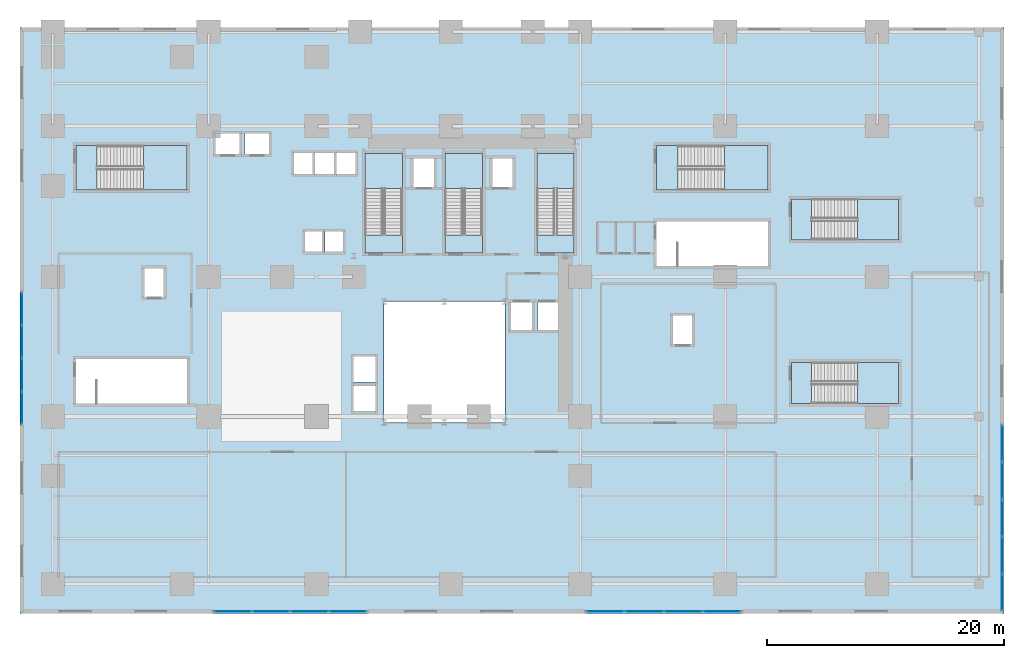
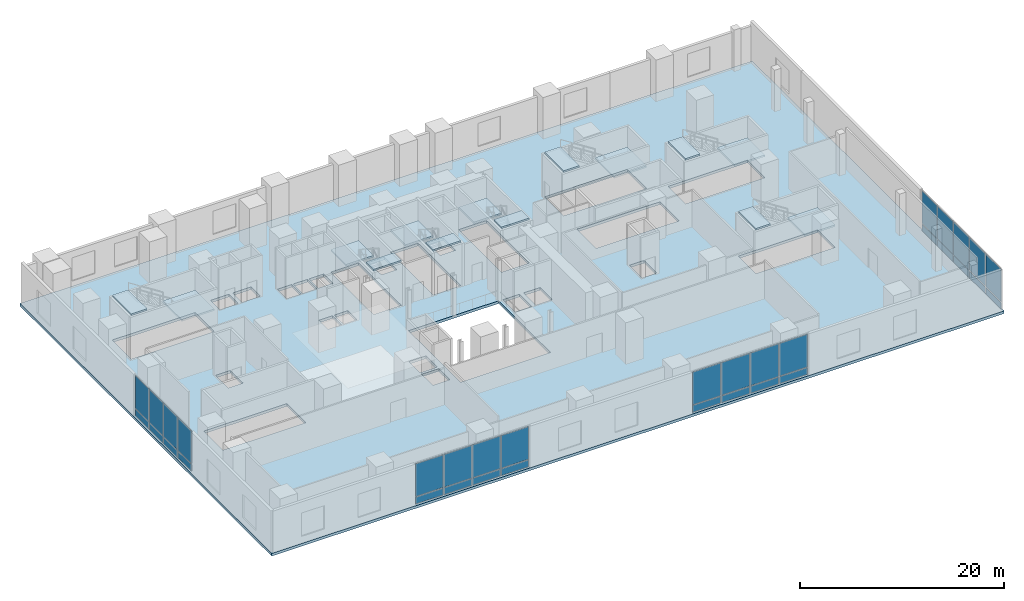
# One storey, part 7 of 15: 34 plates, 15 slabs, 11 elements without a shape of their own.
"""IFC4 building model written with IfcOpenShell, lengths in metres."""

from ifc_helpers import new_model, si_unit, direction, frame, origin, origin_2d, place, context, subcontext, project, spatial, polyline, rectangle, outline, extrude, source, transform, mapped, material, layer, layer_set, type_object, element, aggregate, save


model = new_model("IFC4")

# Units and contexts
model_context = context("Model", 3, precision=1e-05, world=origin(), true_north=direction((0.0, 1.0)))
body_context = subcontext(model_context, "Body", "Model", "MODEL_VIEW")
ifc_project = project(units=[si_unit("LENGTHUNIT", "METRE"), si_unit("AREAUNIT", "SQUARE_METRE"), si_unit("VOLUMEUNIT", "CUBIC_METRE"), si_unit("PLANEANGLEUNIT", "RADIAN"), si_unit("MASSUNIT", "GRAM", prefix="KILO")], contexts=[model_context])

# Site, building, storey
site_placement = place(None, origin())
site = spatial("IfcSite", under=ifc_project, at=site_placement, CompositionType="ELEMENT")
building_placement = place(site_placement, origin())
building = spatial("IfcBuilding", under=site, at=building_placement, Name="Vardaveli Station Tower", CompositionType="ELEMENT")
storey_placement = place(building_placement, frame((0.0, 0.0, 6.0)))
storey = spatial("IfcBuildingStorey", under=building, at=storey_placement, Name="L02", CompositionType="ELEMENT", Elevation=6.0)

# Stair, slabs
ifc_material_1 = material(Name="Concrete C40/50", Category="concrete")
stair_type_1 = type_object("IfcStairType", Name="STR-CORE-1500", PredefinedType="HALF_TURN_STAIR", material=ifc_material_1)
stair_1_placement = place(storey_placement, origin())
stair_1 = element("IfcStair", 1, at=stair_1_placement, inside=storey, type_object=stair_type_1, Name="L02 ST-1", PredefinedType="HALF_TURN_STAIR")
ifc_layer_1 = layer(ifc_material_1, 0.199951171875, Name="Concrete C40/50")
ifc_layer_set_1 = layer_set([ifc_layer_1], Name="Concrete C40/50")
slab_type_1 = type_object("IfcSlabType", Name="SLB-LAND-200", PredefinedType="LANDING", material=ifc_layer_set_1)
slab_1_placement = place(storey_placement, frame((0.0, 0.0, 2.5)))
slab_1 = element("IfcSlab", 2, at=slab_1_placement, type_object=slab_type_1, Name="ST-1 landing 1", PredefinedType="LANDING", context=body_context, shape_type="SweptSolid", body=[
    extrude(outline(polyline([(32.75, 36.320068359375), (32.75, 39.300048828125), (29.60009765625, 39.300048828125), (29.60009765625, 36.320068359375), (32.75, 36.320068359375)])), origin(), (0.0, 0.0, 1.0), 0.199951171875),
])
slab_2_placement = place(storey_placement, frame((0.0, 0.0, 5.199951171875)))
slab_2 = element("IfcSlab", 3, at=slab_2_placement, type_object=slab_type_1, Name="ST-1 landing 2", PredefinedType="LANDING", context=body_context, shape_type="SweptSolid", body=[
    extrude(outline(polyline([(32.75, 30.89990234375), (32.75, 32.39990234375), (29.60009765625, 32.39990234375), (29.60009765625, 30.89990234375), (32.75, 30.89990234375)])), origin(), (0.0, 0.0, 1.0), 0.199951171875),
])
aggregate(stair_1, [slab_1, slab_2])

stair_2_placement = place(storey_placement, origin())
stair_2 = element("IfcStair", 4, at=stair_2_placement, inside=storey, type_object=stair_type_1, Name="L02 ST-2", PredefinedType="HALF_TURN_STAIR")
slab_3_placement = place(storey_placement, frame((0.0, 0.0, 2.5)))
slab_3 = element("IfcSlab", 5, at=slab_3_placement, type_object=slab_type_1, Name="ST-2 landing 1", PredefinedType="LANDING", context=body_context, shape_type="SweptSolid", body=[
    extrude(outline(polyline([(39.5, 36.320068359375), (39.5, 39.300048828125), (36.35009765625, 39.300048828125), (36.35009765625, 36.320068359375), (39.5, 36.320068359375)])), origin(), (0.0, 0.0, 1.0), 0.199951171875),
])
slab_4_placement = place(storey_placement, frame((0.0, 0.0, 5.199951171875)))
slab_4 = element("IfcSlab", 6, at=slab_4_placement, type_object=slab_type_1, Name="ST-2 landing 2", PredefinedType="LANDING", context=body_context, shape_type="SweptSolid", body=[
    extrude(outline(polyline([(39.5, 30.89990234375), (39.5, 32.39990234375), (36.35009765625, 32.39990234375), (36.35009765625, 30.89990234375), (39.5, 30.89990234375)])), origin(), (0.0, 0.0, 1.0), 0.199951171875),
])
aggregate(stair_2, [slab_3, slab_4])

stair_3_placement = place(storey_placement, origin())
stair_3 = element("IfcStair", 7, at=stair_3_placement, inside=storey, type_object=stair_type_1, Name="L02 ST-3", PredefinedType="HALF_TURN_STAIR")
slab_5_placement = place(storey_placement, frame((0.0, 0.0, 2.5)))
slab_5 = element("IfcSlab", 8, at=slab_5_placement, type_object=slab_type_1, Name="ST-3 landing 1", PredefinedType="LANDING", context=body_context, shape_type="SweptSolid", body=[
    extrude(outline(polyline([(47.25, 36.320068359375), (47.25, 39.300048828125), (44.10009765625, 39.300048828125), (44.10009765625, 36.320068359375), (47.25, 36.320068359375)])), origin(), (0.0, 0.0, 1.0), 0.199951171875),
])
slab_6_placement = place(storey_placement, frame((0.0, 0.0, 5.199951171875)))
slab_6 = element("IfcSlab", 9, at=slab_6_placement, type_object=slab_type_1, Name="ST-3 landing 2", PredefinedType="LANDING", context=body_context, shape_type="SweptSolid", body=[
    extrude(outline(polyline([(47.25, 30.89990234375), (47.25, 32.39990234375), (44.10009765625, 32.39990234375), (44.10009765625, 30.89990234375), (47.25, 30.89990234375)])), origin(), (0.0, 0.0, 1.0), 0.199951171875),
])
aggregate(stair_3, [slab_5, slab_6])

stair_type_2 = type_object("IfcStairType", Name="STR-POD-1800", PredefinedType="HALF_TURN_STAIR", material=ifc_material_1)
stair_4_placement = place(storey_placement, origin())
stair_4 = element("IfcStair", 10, at=stair_4_placement, inside=storey, type_object=stair_type_2, Name="L02 ST-P1", PredefinedType="HALF_TURN_STAIR")
slab_7_placement = place(storey_placement, frame((0.0, 0.0, 2.5)))
slab_7 = element("IfcSlab", 11, at=slab_7_placement, type_object=slab_type_1, Name="ST-P1 landing 1", PredefinedType="LANDING", context=body_context, shape_type="SweptSolid", body=[
    extrude(outline(polyline([(10.919921875, 36.199951171875), (14.60009765625, 36.199951171875), (14.60009765625, 39.949951171875), (10.919921875, 39.949951171875), (10.919921875, 36.199951171875)])), origin(), (0.0, 0.0, 1.0), 0.199951171875),
])
slab_8_placement = place(storey_placement, frame((0.0, 0.0, 5.199951171875)))
slab_8 = element("IfcSlab", 12, at=slab_8_placement, type_object=slab_type_1, Name="ST-P1 landing 2", PredefinedType="LANDING", context=body_context, shape_type="SweptSolid", body=[
    extrude(outline(polyline([(5.199951171875, 36.199951171875), (7.0, 36.199951171875), (7.0, 39.949951171875), (5.199951171875, 39.949951171875), (5.199951171875, 36.199951171875)])), origin(), (0.0, 0.0, 1.0), 0.199951171875),
])
aggregate(stair_4, [slab_7, slab_8])

stair_5_placement = place(storey_placement, origin())
stair_5 = element("IfcStair", 13, at=stair_5_placement, inside=storey, type_object=stair_type_2, Name="L02 ST-P2", PredefinedType="HALF_TURN_STAIR")
slab_9_placement = place(storey_placement, frame((0.0, 0.0, 2.5)))
slab_9 = element("IfcSlab", 14, at=slab_9_placement, type_object=slab_type_1, Name="ST-P2 landing 1", PredefinedType="LANDING", context=body_context, shape_type="SweptSolid", body=[
    extrude(outline(polyline([(59.919921875, 36.199951171875), (63.60009765625, 36.199951171875), (63.60009765625, 39.949951171875), (59.919921875, 39.949951171875), (59.919921875, 36.199951171875)])), origin(), (0.0, 0.0, 1.0), 0.199951171875),
])
slab_10_placement = place(storey_placement, frame((0.0, 0.0, 5.199951171875)))
slab_10 = element("IfcSlab", 15, at=slab_10_placement, type_object=slab_type_1, Name="ST-P2 landing 2", PredefinedType="LANDING", context=body_context, shape_type="SweptSolid", body=[
    extrude(outline(polyline([(54.199951171875, 36.199951171875), (56.0, 36.199951171875), (56.0, 39.949951171875), (54.199951171875, 39.949951171875), (54.199951171875, 36.199951171875)])), origin(), (0.0, 0.0, 1.0), 0.199951171875),
])
aggregate(stair_5, [slab_9, slab_10])

ifc_material_2 = material(Name="Structural steel S355J2", Category="steel")
stair_type_3 = type_object("IfcStairType", Name="STR-FEAT-1650", PredefinedType="STRAIGHT_RUN_STAIR", material=ifc_material_2)
stair_6_placement = place(storey_placement, origin())
stair_6 = element("IfcStair", 16, at=stair_6_placement, inside=storey, type_object=stair_type_3, Name="L02 ST-C1", PredefinedType="HALF_TURN_STAIR")
slab_11_placement = place(storey_placement, frame((0.0, 0.0, 2.5)))
slab_11 = element("IfcSlab", 17, at=slab_11_placement, type_object=slab_type_1, Name="ST-C1 landing 1", PredefinedType="LANDING", context=body_context, shape_type="SweptSolid", body=[
    extrude(outline(polyline([(71.169921875, 18.199951171875), (74.60009765625, 18.199951171875), (74.60009765625, 21.64990234375), (71.169921875, 21.64990234375), (71.169921875, 18.199951171875)])), origin(), (0.0, 0.0, 1.0), 0.199951171875),
])
slab_12_placement = place(storey_placement, frame((0.0, 0.0, 5.199951171875)))
slab_12 = element("IfcSlab", 18, at=slab_12_placement, type_object=slab_type_1, Name="ST-C1 landing 2", PredefinedType="LANDING", context=body_context, shape_type="SweptSolid", body=[
    extrude(outline(polyline([(65.60009765625, 18.199951171875), (67.25, 18.199951171875), (67.25, 21.64990234375), (65.60009765625, 21.64990234375), (65.60009765625, 18.199951171875)])), origin(), (0.0, 0.0, 1.0), 0.199951171875),
])
aggregate(stair_6, [slab_11, slab_12])

stair_7_placement = place(storey_placement, origin())
stair_7 = element("IfcStair", 19, at=stair_7_placement, inside=storey, type_object=stair_type_3, Name="L02 ST-C2", PredefinedType="HALF_TURN_STAIR")
slab_13_placement = place(storey_placement, frame((0.0, 0.0, 2.5)))
slab_13 = element("IfcSlab", 20, at=slab_13_placement, type_object=slab_type_1, Name="ST-C2 landing 1", PredefinedType="LANDING", context=body_context, shape_type="SweptSolid", body=[
    extrude(outline(polyline([(71.169921875, 32.0), (74.60009765625, 32.0), (74.60009765625, 35.449951171875), (71.169921875, 35.449951171875), (71.169921875, 32.0)])), origin(), (0.0, 0.0, 1.0), 0.199951171875),
])
slab_14_placement = place(storey_placement, frame((0.0, 0.0, 5.199951171875)))
slab_14 = element("IfcSlab", 21, at=slab_14_placement, type_object=slab_type_1, Name="ST-C2 landing 2", PredefinedType="LANDING", context=body_context, shape_type="SweptSolid", body=[
    extrude(outline(polyline([(65.60009765625, 32.0), (67.25, 32.0), (67.25, 35.449951171875), (65.60009765625, 35.449951171875), (65.60009765625, 32.0)])), origin(), (0.0, 0.0, 1.0), 0.199951171875),
])
aggregate(stair_7, [slab_13, slab_14])

# Slab
ifc_layer_2 = layer(ifc_material_1, 0.320068359375, Name="Concrete C40/50")
ifc_layer_set_2 = layer_set([ifc_layer_2], Name="Concrete C40/50")
slab_type_2 = type_object("IfcSlabType", Name="SLB-POD-320", PredefinedType="FLOOR", material=ifc_layer_set_2)
slab_15_placement = place(storey_placement, frame((0.0, 0.0, -0.320068359375)))
element("IfcSlab", 22, at=slab_15_placement, inside=storey, type_object=slab_type_2, Name="SLB-L02-MAIN", PredefinedType="FLOOR", context=body_context, shape_type="SweptSolid", body=[
    extrude(outline(polyline([(0.489990234375, 0.489990234375), (83.510009765625, 0.489990234375), (83.510009765625, 49.909912109375), (0.489990234375, 49.909912109375), (0.489990234375, 0.489990234375)]), holes=[polyline([(31.199951171875, 16.60009765625), (41.39990234375, 16.60009765625), (41.39990234375, 26.800048828125), (31.199951171875, 26.800048828125), (31.199951171875, 16.60009765625)]), polyline([(32.75, 30.89990234375), (32.75, 39.300048828125), (29.60009765625, 39.300048828125), (29.60009765625, 30.89990234375), (32.75, 30.89990234375)]), polyline([(39.5, 30.89990234375), (39.5, 39.300048828125), (36.35009765625, 39.300048828125), (36.35009765625, 30.89990234375), (39.5, 30.89990234375)]), polyline([(47.25, 30.89990234375), (47.25, 39.300048828125), (44.10009765625, 39.300048828125), (44.10009765625, 30.89990234375), (47.25, 30.89990234375)]), polyline([(5.199951171875, 18.199951171875), (14.60009765625, 18.199951171875), (14.60009765625, 21.949951171875), (5.199951171875, 21.949951171875), (5.199951171875, 18.199951171875)]), polyline([(54.199951171875, 29.800048828125), (63.60009765625, 29.800048828125), (63.60009765625, 33.550048828125), (54.199951171875, 33.550048828125), (54.199951171875, 29.800048828125)]), polyline([(5.199951171875, 36.199951171875), (14.60009765625, 36.199951171875), (14.60009765625, 39.949951171875), (5.199951171875, 39.949951171875), (5.199951171875, 36.199951171875)]), polyline([(54.199951171875, 36.199951171875), (63.60009765625, 36.199951171875), (63.60009765625, 39.949951171875), (54.199951171875, 39.949951171875), (54.199951171875, 36.199951171875)]), polyline([(65.60009765625, 18.199951171875), (74.60009765625, 18.199951171875), (74.60009765625, 21.64990234375), (65.60009765625, 21.64990234375), (65.60009765625, 18.199951171875)]), polyline([(65.60009765625, 32.0), (74.60009765625, 32.0), (74.60009765625, 35.449951171875), (65.60009765625, 35.449951171875), (65.60009765625, 32.0)]), polyline([(10.9599609375, 27.159912109375), (12.639892578125, 27.159912109375), (12.639892578125, 29.639892578125), (10.9599609375, 29.639892578125), (10.9599609375, 27.159912109375)]), polyline([(55.56005859375, 23.159912109375), (57.239990234375, 23.159912109375), (57.239990234375, 25.639892578125), (55.56005859375, 25.639892578125), (55.56005859375, 23.159912109375)]), polyline([(16.9599609375, 39.18505859375), (19.0400390625, 39.18505859375), (19.0400390625, 41.014892578125), (16.9599609375, 41.014892578125), (16.9599609375, 39.18505859375)]), polyline([(19.4599609375, 39.18505859375), (21.5400390625, 39.18505859375), (21.5400390625, 41.014892578125), (19.4599609375, 41.014892578125), (19.4599609375, 39.18505859375)]), polyline([(23.5849609375, 37.534912109375), (25.215087890625, 37.534912109375), (25.215087890625, 39.364990234375), (23.5849609375, 39.364990234375), (23.5849609375, 37.534912109375)]), polyline([(25.385009765625, 37.534912109375), (27.014892578125, 37.534912109375), (27.014892578125, 39.364990234375), (25.385009765625, 39.364990234375), (25.385009765625, 37.534912109375)]), polyline([(27.18505859375, 37.534912109375), (28.81494140625, 37.534912109375), (28.81494140625, 39.364990234375), (27.18505859375, 39.364990234375), (27.18505859375, 37.534912109375)]), polyline([(33.659912109375, 36.409912109375), (35.43994140625, 36.409912109375), (35.43994140625, 38.889892578125), (33.659912109375, 38.889892578125), (33.659912109375, 36.409912109375)]), polyline([(40.31005859375, 36.409912109375), (42.090087890625, 36.409912109375), (42.090087890625, 38.889892578125), (40.31005859375, 38.889892578125), (40.31005859375, 36.409912109375)]), polyline([(24.485107421875, 30.9599609375), (26.014892578125, 30.9599609375), (26.014892578125, 32.739990234375), (24.485107421875, 32.739990234375), (24.485107421875, 30.9599609375)]), polyline([(26.235107421875, 30.9599609375), (27.764892578125, 30.9599609375), (27.764892578125, 32.739990234375), (26.235107421875, 32.739990234375), (26.235107421875, 30.9599609375)]), polyline([(28.5849609375, 17.510009765625), (30.514892578125, 17.510009765625), (30.514892578125, 19.68994140625), (28.5849609375, 19.68994140625), (28.5849609375, 17.510009765625)]), polyline([(28.5849609375, 20.010009765625), (30.514892578125, 20.010009765625), (30.514892578125, 22.18994140625), (28.5849609375, 22.18994140625), (28.5849609375, 20.010009765625)]), polyline([(41.860107421875, 24.360107421875), (43.739990234375, 24.360107421875), (43.739990234375, 26.739990234375), (41.860107421875, 26.739990234375), (41.860107421875, 24.360107421875)]), polyline([(44.2099609375, 24.360107421875), (46.090087890625, 24.360107421875), (46.090087890625, 26.739990234375), (44.2099609375, 26.739990234375), (44.2099609375, 24.360107421875)])]), origin(), (0.0, 0.0, 1.0), 0.320068359375),
])

# Curtain wall, plates
ifc_material_3 = material(Name="Travertine stone and solar-control glass", Category="masonry")
curtain_wall_type = type_object("IfcCurtainWallType", Name="CW-SYS-1", PredefinedType="NOTDEFINED", material=ifc_material_3)
curtain_wall_1_placement = place(storey_placement, origin())
curtain_wall_1 = element("IfcCurtainWall", 23, at=curtain_wall_1_placement, inside=storey, type_object=curtain_wall_type, Name="CW-L02-S2", PredefinedType="NOTDEFINED")
ifc_material_4 = material(Name="Double-glazed low-E solar-control glass", Category="glass")
ifc_layer_3 = layer(ifc_material_4, 0.048095703125, Name="Double-glazed low-E solar-control glass")
ifc_layer_set_3 = layer_set([ifc_layer_3], Name="Double-glazed low-E solar-control glass")
plate_type = type_object("IfcPlateType", Name="CW-SYS-1-PAN", PredefinedType="CURTAIN_PANEL", material=ifc_layer_set_3)
shared_shape_1 = source(origin(), body_context, "Body", "SweptSolid", [
    extrude(rectangle(XDim=3.107421875, YDim=0.048095703125, at=origin_2d()), origin(), (0.0, 0.0, 1.0), 0.8076171875),
])
plate_1_placement = place(storey_placement, frame((18.44873046875, 0.64990234375, 0.094970703125), z_axis=(0.0, 0.0, 1.0), x_axis=(1.0, 0.0, 0.0)))
plate_1 = element("IfcPlate", 24, at=plate_1_placement, type_object=plate_type, Name="CW-1 panel 1.1", PredefinedType="CURTAIN_PANEL", context=body_context, shape_type="MappedRepresentation", body=[
    mapped(shared_shape_1, transform((0.0, 0.0, 0.0), scale=1.0)),
])
plate_2_placement = place(storey_placement, frame((28.1513671875, 0.64990234375, 0.094970703125), z_axis=(0.0, 0.0, 1.0), x_axis=(1.0, 0.0, 0.0)))
plate_2 = element("IfcPlate", 25, at=plate_2_placement, type_object=plate_type, Name="CW-1 panel 4.1", PredefinedType="CURTAIN_PANEL", context=body_context, shape_type="MappedRepresentation", body=[
    mapped(shared_shape_1, transform((0.0, 0.0, 0.0), scale=1.0)),
])
shared_shape_2 = source(origin(), body_context, "Body", "SweptSolid", [
    extrude(rectangle(XDim=3.155029296875, YDim=0.048095703125, at=origin_2d()), origin(), (0.0, 0.0, 1.0), 0.8076171875),
])
plate_3_placement = place(storey_placement, frame((21.675048828125, 0.64990234375, 0.094970703125), z_axis=(0.0, 0.0, 1.0), x_axis=(1.0, 0.0, 0.0)))
plate_3 = element("IfcPlate", 26, at=plate_3_placement, type_object=plate_type, Name="CW-1 panel 2.1", PredefinedType="CURTAIN_PANEL", context=body_context, shape_type="MappedRepresentation", body=[
    mapped(shared_shape_2, transform((0.0, 0.0, 0.0), scale=1.0)),
])
plate_4_placement = place(storey_placement, frame((24.925048828125, 0.64990234375, 0.094970703125), z_axis=(0.0, 0.0, 1.0), x_axis=(1.0, 0.0, 0.0)))
plate_4 = element("IfcPlate", 27, at=plate_4_placement, type_object=plate_type, Name="CW-1 panel 3.1", PredefinedType="CURTAIN_PANEL", context=body_context, shape_type="MappedRepresentation", body=[
    mapped(shared_shape_2, transform((0.0, 0.0, 0.0), scale=1.0)),
])

curtain_wall_2_placement = place(storey_placement, origin())
curtain_wall_2 = element("IfcCurtainWall", 28, at=curtain_wall_2_placement, inside=storey, type_object=curtain_wall_type, Name="CW-L02-S4", PredefinedType="NOTDEFINED")
shared_shape_3 = source(origin(), body_context, "Body", "SweptSolid", [
    extrude(rectangle(XDim=3.157470703125, YDim=0.048095703125, at=origin_2d()), origin(), (0.0, 0.0, 1.0), 0.8076171875),
])
plate_5_placement = place(storey_placement, frame((49.873779296875, 0.64990234375, 0.094970703125), z_axis=(0.0, 0.0, 1.0), x_axis=(1.0, 0.0, 0.0)))
plate_5 = element("IfcPlate", 29, at=plate_5_placement, type_object=plate_type, Name="CW-1 panel 1.1", PredefinedType="CURTAIN_PANEL", context=body_context, shape_type="MappedRepresentation", body=[
    mapped(shared_shape_3, transform((0.0, 0.0, 0.0), scale=1.0)),
])
plate_6_placement = place(storey_placement, frame((59.726318359375, 0.64990234375, 0.094970703125), z_axis=(0.0, 0.0, 1.0), x_axis=(1.0, 0.0, 0.0)))
plate_6 = element("IfcPlate", 30, at=plate_6_placement, type_object=plate_type, Name="CW-1 panel 4.1", PredefinedType="CURTAIN_PANEL", context=body_context, shape_type="MappedRepresentation", body=[
    mapped(shared_shape_3, transform((0.0, 0.0, 0.0), scale=1.0)),
])
shared_shape_4 = source(origin(), body_context, "Body", "SweptSolid", [
    extrude(rectangle(XDim=3.205078125, YDim=0.048095703125, at=origin_2d()), origin(), (0.0, 0.0, 1.0), 0.8076171875),
])
plate_7_placement = place(storey_placement, frame((53.14990234375, 0.64990234375, 0.094970703125), z_axis=(0.0, 0.0, 1.0), x_axis=(1.0, 0.0, 0.0)))
plate_7 = element("IfcPlate", 31, at=plate_7_placement, type_object=plate_type, Name="CW-1 panel 2.1", PredefinedType="CURTAIN_PANEL", context=body_context, shape_type="MappedRepresentation", body=[
    mapped(shared_shape_4, transform((0.0, 0.0, 0.0), scale=1.0)),
])
plate_8_placement = place(storey_placement, frame((56.449951171875, 0.64990234375, 0.094970703125), z_axis=(0.0, 0.0, 1.0), x_axis=(1.0, 0.0, 0.0)))
plate_8 = element("IfcPlate", 32, at=plate_8_placement, type_object=plate_type, Name="CW-1 panel 3.1", PredefinedType="CURTAIN_PANEL", context=body_context, shape_type="MappedRepresentation", body=[
    mapped(shared_shape_4, transform((0.0, 0.0, 0.0), scale=1.0)),
])

curtain_wall_3_placement = place(storey_placement, origin())
curtain_wall_3 = element("IfcCurtainWall", 33, at=curtain_wall_3_placement, inside=storey, type_object=curtain_wall_type, Name="CW-L02-E1", PredefinedType="NOTDEFINED")
shared_shape_5 = source(origin(), body_context, "Body", "SweptSolid", [
    extrude(rectangle(XDim=3.007568359375, YDim=0.048095703125, at=origin_2d()), origin(), (0.0, 0.0, 1.0), 0.8076171875),
])
plate_9_placement = place(storey_placement, frame((83.35009765625, 2.248779296875, 0.094970703125), z_axis=(0.0, 0.0, 1.0), x_axis=(0.0, 1.0, 0.0)))
plate_9 = element("IfcPlate", 34, at=plate_9_placement, type_object=plate_type, Name="CW-1 panel 1.1", PredefinedType="CURTAIN_PANEL", context=body_context, shape_type="MappedRepresentation", body=[
    mapped(shared_shape_5, transform((0.0, 0.0, 0.0), scale=1.0)),
])
plate_10_placement = place(storey_placement, frame((83.35009765625, 14.80126953125, 0.094970703125), z_axis=(0.0, 0.0, 1.0), x_axis=(0.0, 1.0, 0.0)))
plate_10 = element("IfcPlate", 35, at=plate_10_placement, type_object=plate_type, Name="CW-1 panel 5.1", PredefinedType="CURTAIN_PANEL", context=body_context, shape_type="MappedRepresentation", body=[
    mapped(shared_shape_5, transform((0.0, 0.0, 0.0), scale=1.0)),
])
shared_shape_6 = source(origin(), body_context, "Body", "SweptSolid", [
    extrude(rectangle(XDim=3.054931640625, YDim=0.048095703125, at=origin_2d()), origin(), (0.0, 0.0, 1.0), 0.8076171875),
])
plate_11_placement = place(storey_placement, frame((83.35009765625, 5.375, 0.094970703125), z_axis=(0.0, 0.0, 1.0), x_axis=(0.0, 1.0, 0.0)))
plate_11 = element("IfcPlate", 36, at=plate_11_placement, type_object=plate_type, Name="CW-1 panel 2.1", PredefinedType="CURTAIN_PANEL", context=body_context, shape_type="MappedRepresentation", body=[
    mapped(shared_shape_6, transform((0.0, 0.0, 0.0), scale=1.0)),
])
plate_12_placement = place(storey_placement, frame((83.35009765625, 8.52490234375, 0.094970703125), z_axis=(0.0, 0.0, 1.0), x_axis=(0.0, 1.0, 0.0)))
plate_12 = element("IfcPlate", 37, at=plate_12_placement, type_object=plate_type, Name="CW-1 panel 3.1", PredefinedType="CURTAIN_PANEL", context=body_context, shape_type="MappedRepresentation", body=[
    mapped(shared_shape_6, transform((0.0, 0.0, 0.0), scale=1.0)),
])
plate_13_placement = place(storey_placement, frame((83.35009765625, 11.675048828125, 0.094970703125), z_axis=(0.0, 0.0, 1.0), x_axis=(0.0, 1.0, 0.0)))
plate_13 = element("IfcPlate", 38, at=plate_13_placement, type_object=plate_type, Name="CW-1 panel 4.1", PredefinedType="CURTAIN_PANEL", context=body_context, shape_type="MappedRepresentation", body=[
    mapped(shared_shape_6, transform((0.0, 0.0, 0.0), scale=1.0)),
])

# Plate
shared_shape_7 = source(origin(), body_context, "Body", "SweptSolid", [
    extrude(rectangle(XDim=3.107421875, YDim=0.048095703125, at=origin_2d()), origin(), (0.0, 0.0, 1.0), 3.907470703125),
])
plate_14_placement = place(storey_placement, frame((18.44873046875, 0.64990234375, 0.99755859375), z_axis=(0.0, 0.0, 1.0), x_axis=(1.0, 0.0, 0.0)))
plate_14 = element("IfcPlate", 39, at=plate_14_placement, type_object=plate_type, Name="CW-1 panel 1.2", PredefinedType="CURTAIN_PANEL", context=body_context, shape_type="MappedRepresentation", body=[
    mapped(shared_shape_7, transform((0.0, 0.0, 0.0), scale=1.0)),
])

plate_15_placement = place(storey_placement, frame((28.1513671875, 0.64990234375, 0.99755859375), z_axis=(0.0, 0.0, 1.0), x_axis=(1.0, 0.0, 0.0)))
plate_15 = element("IfcPlate", 40, at=plate_15_placement, type_object=plate_type, Name="CW-1 panel 4.2", PredefinedType="CURTAIN_PANEL", context=body_context, shape_type="MappedRepresentation", body=[
    mapped(shared_shape_7, transform((0.0, 0.0, 0.0), scale=1.0)),
])

shared_shape_8 = source(origin(), body_context, "Body", "SweptSolid", [
    extrude(rectangle(XDim=3.155029296875, YDim=0.048095703125, at=origin_2d()), origin(), (0.0, 0.0, 1.0), 3.907470703125),
])
plate_16_placement = place(storey_placement, frame((21.675048828125, 0.64990234375, 0.99755859375), z_axis=(0.0, 0.0, 1.0), x_axis=(1.0, 0.0, 0.0)))
plate_16 = element("IfcPlate", 41, at=plate_16_placement, type_object=plate_type, Name="CW-1 panel 2.2", PredefinedType="CURTAIN_PANEL", context=body_context, shape_type="MappedRepresentation", body=[
    mapped(shared_shape_8, transform((0.0, 0.0, 0.0), scale=1.0)),
])

plate_17_placement = place(storey_placement, frame((24.925048828125, 0.64990234375, 0.99755859375), z_axis=(0.0, 0.0, 1.0), x_axis=(1.0, 0.0, 0.0)))
plate_17 = element("IfcPlate", 42, at=plate_17_placement, type_object=plate_type, Name="CW-1 panel 3.2", PredefinedType="CURTAIN_PANEL", context=body_context, shape_type="MappedRepresentation", body=[
    mapped(shared_shape_8, transform((0.0, 0.0, 0.0), scale=1.0)),
])

aggregate(curtain_wall_1, [plate_1, plate_14, plate_3, plate_16, plate_4, plate_17, plate_2, plate_15])

shared_shape_9 = source(origin(), body_context, "Body", "SweptSolid", [
    extrude(rectangle(XDim=3.157470703125, YDim=0.048095703125, at=origin_2d()), origin(), (0.0, 0.0, 1.0), 3.907470703125),
])
plate_18_placement = place(storey_placement, frame((49.873779296875, 0.64990234375, 0.99755859375), z_axis=(0.0, 0.0, 1.0), x_axis=(1.0, 0.0, 0.0)))
plate_18 = element("IfcPlate", 43, at=plate_18_placement, type_object=plate_type, Name="CW-1 panel 1.2", PredefinedType="CURTAIN_PANEL", context=body_context, shape_type="MappedRepresentation", body=[
    mapped(shared_shape_9, transform((0.0, 0.0, 0.0), scale=1.0)),
])

plate_19_placement = place(storey_placement, frame((59.726318359375, 0.64990234375, 0.99755859375), z_axis=(0.0, 0.0, 1.0), x_axis=(1.0, 0.0, 0.0)))
plate_19 = element("IfcPlate", 44, at=plate_19_placement, type_object=plate_type, Name="CW-1 panel 4.2", PredefinedType="CURTAIN_PANEL", context=body_context, shape_type="MappedRepresentation", body=[
    mapped(shared_shape_9, transform((0.0, 0.0, 0.0), scale=1.0)),
])

shared_shape_10 = source(origin(), body_context, "Body", "SweptSolid", [
    extrude(rectangle(XDim=3.205078125, YDim=0.048095703125, at=origin_2d()), origin(), (0.0, 0.0, 1.0), 3.907470703125),
])
plate_20_placement = place(storey_placement, frame((53.14990234375, 0.64990234375, 0.99755859375), z_axis=(0.0, 0.0, 1.0), x_axis=(1.0, 0.0, 0.0)))
plate_20 = element("IfcPlate", 45, at=plate_20_placement, type_object=plate_type, Name="CW-1 panel 2.2", PredefinedType="CURTAIN_PANEL", context=body_context, shape_type="MappedRepresentation", body=[
    mapped(shared_shape_10, transform((0.0, 0.0, 0.0), scale=1.0)),
])

plate_21_placement = place(storey_placement, frame((56.449951171875, 0.64990234375, 0.99755859375), z_axis=(0.0, 0.0, 1.0), x_axis=(1.0, 0.0, 0.0)))
plate_21 = element("IfcPlate", 46, at=plate_21_placement, type_object=plate_type, Name="CW-1 panel 3.2", PredefinedType="CURTAIN_PANEL", context=body_context, shape_type="MappedRepresentation", body=[
    mapped(shared_shape_10, transform((0.0, 0.0, 0.0), scale=1.0)),
])

aggregate(curtain_wall_2, [plate_5, plate_18, plate_7, plate_20, plate_8, plate_21, plate_6, plate_19])

# Curtain wall, plates
curtain_wall_4_placement = place(storey_placement, origin())
curtain_wall_4 = element("IfcCurtainWall", 47, at=curtain_wall_4_placement, inside=storey, type_object=curtain_wall_type, Name="CW-L02-W2", PredefinedType="NOTDEFINED")
shared_shape_11 = source(origin(), body_context, "Body", "SweptSolid", [
    extrude(rectangle(XDim=2.657470703125, YDim=0.048095703125, at=origin_2d()), origin(), (0.0, 0.0, 1.0), 0.8076171875),
])
plate_22_placement = place(storey_placement, frame((0.64990234375, 26.17626953125, 0.094970703125), z_axis=(0.0, 0.0, 1.0), x_axis=(0.0, -1.0, 0.0)))
plate_22 = element("IfcPlate", 48, at=plate_22_placement, type_object=plate_type, Name="CW-1 panel 1.1", PredefinedType="CURTAIN_PANEL", context=body_context, shape_type="MappedRepresentation", body=[
    mapped(shared_shape_11, transform((0.0, 0.0, 0.0), scale=1.0)),
])
plate_23_placement = place(storey_placement, frame((0.64990234375, 17.82373046875, 0.094970703125), z_axis=(0.0, 0.0, 1.0), x_axis=(0.0, -1.0, 0.0)))
plate_23 = element("IfcPlate", 49, at=plate_23_placement, type_object=plate_type, Name="CW-1 panel 4.1", PredefinedType="CURTAIN_PANEL", context=body_context, shape_type="MappedRepresentation", body=[
    mapped(shared_shape_11, transform((0.0, 0.0, 0.0), scale=1.0)),
])
shared_shape_12 = source(origin(), body_context, "Body", "SweptSolid", [
    extrude(rectangle(XDim=2.657470703125, YDim=0.048095703125, at=origin_2d()), origin(), (0.0, 0.0, 1.0), 3.907470703125),
])
plate_24_placement = place(storey_placement, frame((0.64990234375, 26.17626953125, 0.99755859375), z_axis=(0.0, 0.0, 1.0), x_axis=(0.0, -1.0, 0.0)))
plate_24 = element("IfcPlate", 50, at=plate_24_placement, type_object=plate_type, Name="CW-1 panel 1.2", PredefinedType="CURTAIN_PANEL", context=body_context, shape_type="MappedRepresentation", body=[
    mapped(shared_shape_12, transform((0.0, 0.0, 0.0), scale=1.0)),
])
plate_25_placement = place(storey_placement, frame((0.64990234375, 17.82373046875, 0.99755859375), z_axis=(0.0, 0.0, 1.0), x_axis=(0.0, -1.0, 0.0)))
plate_25 = element("IfcPlate", 51, at=plate_25_placement, type_object=plate_type, Name="CW-1 panel 4.2", PredefinedType="CURTAIN_PANEL", context=body_context, shape_type="MappedRepresentation", body=[
    mapped(shared_shape_12, transform((0.0, 0.0, 0.0), scale=1.0)),
])
shared_shape_13 = source(origin(), body_context, "Body", "SweptSolid", [
    extrude(rectangle(XDim=2.705078125, YDim=0.048095703125, at=origin_2d()), origin(), (0.0, 0.0, 1.0), 0.8076171875),
])
plate_26_placement = place(storey_placement, frame((0.64990234375, 23.39990234375, 0.094970703125), z_axis=(0.0, 0.0, 1.0), x_axis=(0.0, -1.0, 0.0)))
plate_26 = element("IfcPlate", 52, at=plate_26_placement, type_object=plate_type, Name="CW-1 panel 2.1", PredefinedType="CURTAIN_PANEL", context=body_context, shape_type="MappedRepresentation", body=[
    mapped(shared_shape_13, transform((0.0, 0.0, 0.0), scale=1.0)),
])
plate_27_placement = place(storey_placement, frame((0.64990234375, 20.60009765625, 0.094970703125), z_axis=(0.0, 0.0, 1.0), x_axis=(0.0, -1.0, 0.0)))
plate_27 = element("IfcPlate", 53, at=plate_27_placement, type_object=plate_type, Name="CW-1 panel 3.1", PredefinedType="CURTAIN_PANEL", context=body_context, shape_type="MappedRepresentation", body=[
    mapped(shared_shape_13, transform((0.0, 0.0, 0.0), scale=1.0)),
])
shared_shape_14 = source(origin(), body_context, "Body", "SweptSolid", [
    extrude(rectangle(XDim=2.705078125, YDim=0.048095703125, at=origin_2d()), origin(), (0.0, 0.0, 1.0), 3.907470703125),
])
plate_28_placement = place(storey_placement, frame((0.64990234375, 23.39990234375, 0.99755859375), z_axis=(0.0, 0.0, 1.0), x_axis=(0.0, -1.0, 0.0)))
plate_28 = element("IfcPlate", 54, at=plate_28_placement, type_object=plate_type, Name="CW-1 panel 2.2", PredefinedType="CURTAIN_PANEL", context=body_context, shape_type="MappedRepresentation", body=[
    mapped(shared_shape_14, transform((0.0, 0.0, 0.0), scale=1.0)),
])
plate_29_placement = place(storey_placement, frame((0.64990234375, 20.60009765625, 0.99755859375), z_axis=(0.0, 0.0, 1.0), x_axis=(0.0, -1.0, 0.0)))
plate_29 = element("IfcPlate", 55, at=plate_29_placement, type_object=plate_type, Name="CW-1 panel 3.2", PredefinedType="CURTAIN_PANEL", context=body_context, shape_type="MappedRepresentation", body=[
    mapped(shared_shape_14, transform((0.0, 0.0, 0.0), scale=1.0)),
])
aggregate(curtain_wall_4, [plate_22, plate_24, plate_26, plate_28, plate_27, plate_29, plate_23, plate_25])

# Plate
shared_shape_15 = source(origin(), body_context, "Body", "SweptSolid", [
    extrude(rectangle(XDim=3.007568359375, YDim=0.048095703125, at=origin_2d()), origin(), (0.0, 0.0, 1.0), 3.907470703125),
])
plate_30_placement = place(storey_placement, frame((83.35009765625, 2.248779296875, 0.99755859375), z_axis=(0.0, 0.0, 1.0), x_axis=(0.0, 1.0, 0.0)))
plate_30 = element("IfcPlate", 56, at=plate_30_placement, type_object=plate_type, Name="CW-1 panel 1.2", PredefinedType="CURTAIN_PANEL", context=body_context, shape_type="MappedRepresentation", body=[
    mapped(shared_shape_15, transform((0.0, 0.0, 0.0), scale=1.0)),
])

plate_31_placement = place(storey_placement, frame((83.35009765625, 14.80126953125, 0.99755859375), z_axis=(0.0, 0.0, 1.0), x_axis=(0.0, 1.0, 0.0)))
plate_31 = element("IfcPlate", 57, at=plate_31_placement, type_object=plate_type, Name="CW-1 panel 5.2", PredefinedType="CURTAIN_PANEL", context=body_context, shape_type="MappedRepresentation", body=[
    mapped(shared_shape_15, transform((0.0, 0.0, 0.0), scale=1.0)),
])

shared_shape_16 = source(origin(), body_context, "Body", "SweptSolid", [
    extrude(rectangle(XDim=3.054931640625, YDim=0.048095703125, at=origin_2d()), origin(), (0.0, 0.0, 1.0), 3.907470703125),
])
plate_32_placement = place(storey_placement, frame((83.35009765625, 5.375, 0.99755859375), z_axis=(0.0, 0.0, 1.0), x_axis=(0.0, 1.0, 0.0)))
plate_32 = element("IfcPlate", 58, at=plate_32_placement, type_object=plate_type, Name="CW-1 panel 2.2", PredefinedType="CURTAIN_PANEL", context=body_context, shape_type="MappedRepresentation", body=[
    mapped(shared_shape_16, transform((0.0, 0.0, 0.0), scale=1.0)),
])

plate_33_placement = place(storey_placement, frame((83.35009765625, 8.52490234375, 0.99755859375), z_axis=(0.0, 0.0, 1.0), x_axis=(0.0, 1.0, 0.0)))
plate_33 = element("IfcPlate", 59, at=plate_33_placement, type_object=plate_type, Name="CW-1 panel 3.2", PredefinedType="CURTAIN_PANEL", context=body_context, shape_type="MappedRepresentation", body=[
    mapped(shared_shape_16, transform((0.0, 0.0, 0.0), scale=1.0)),
])

plate_34_placement = place(storey_placement, frame((83.35009765625, 11.675048828125, 0.99755859375), z_axis=(0.0, 0.0, 1.0), x_axis=(0.0, 1.0, 0.0)))
plate_34 = element("IfcPlate", 60, at=plate_34_placement, type_object=plate_type, Name="CW-1 panel 4.2", PredefinedType="CURTAIN_PANEL", context=body_context, shape_type="MappedRepresentation", body=[
    mapped(shared_shape_16, transform((0.0, 0.0, 0.0), scale=1.0)),
])

aggregate(curtain_wall_3, [plate_9, plate_30, plate_11, plate_32, plate_12, plate_33, plate_13, plate_34, plate_10, plate_31])

save(model, "model.ifc")
